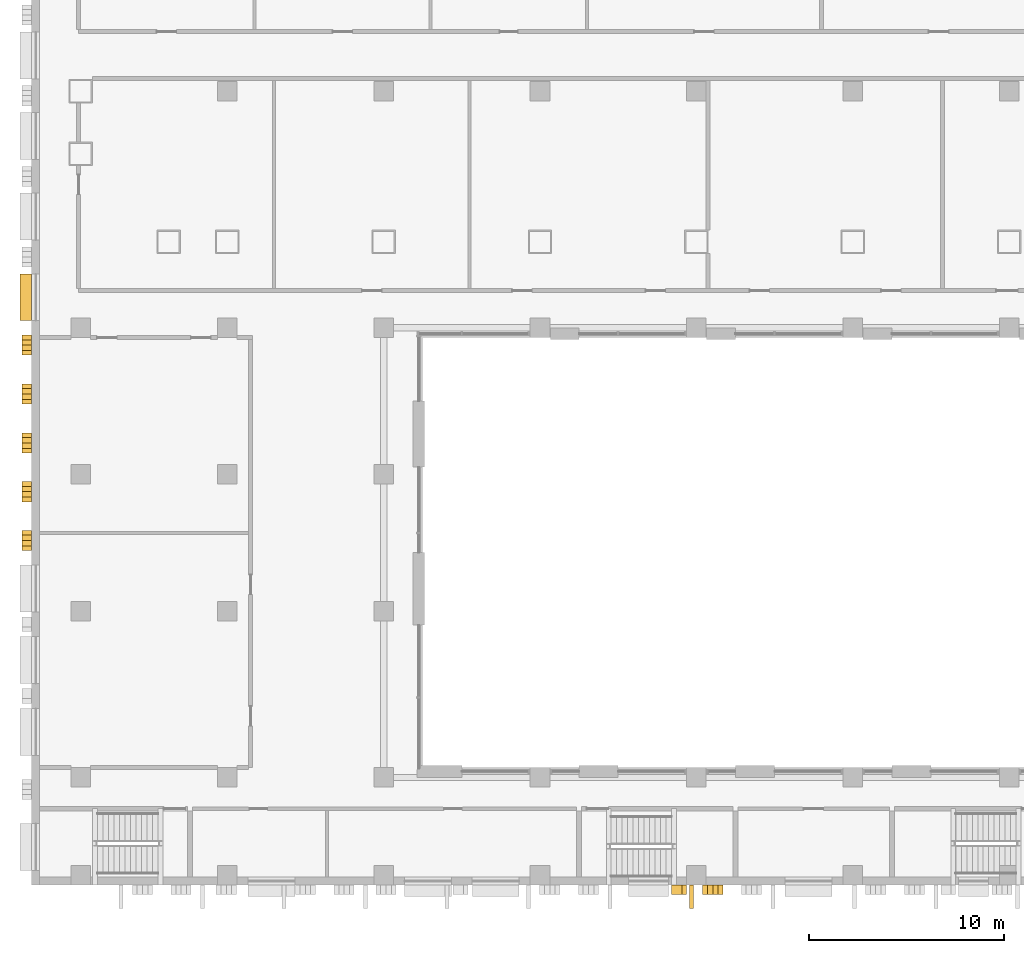
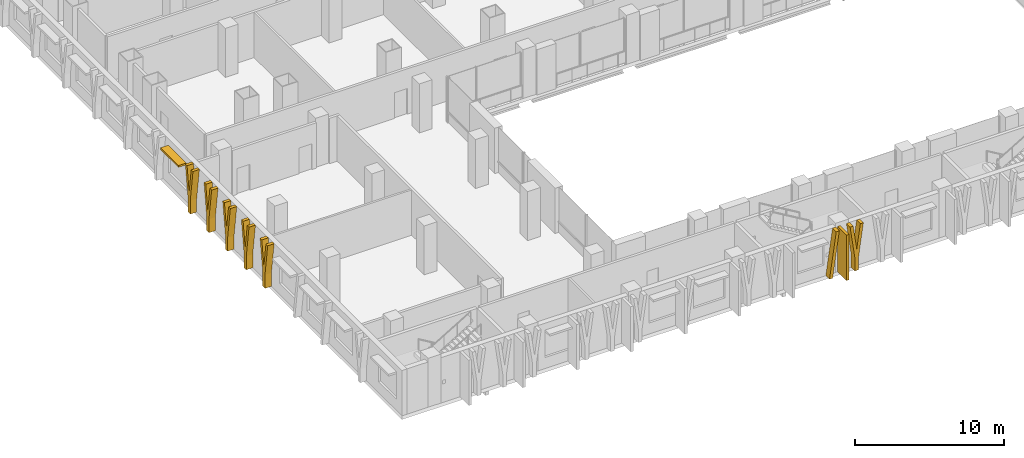
# One storey, part 20 of 26: 9 shading devices.
"""IFC4 building model written with IfcOpenShell, lengths in metres."""

from ifc_helpers import new_model, si_unit, direction, frame, frame_2d, origin, origin_2d, place, context, subcontext, project, spatial, polyline, rectangle, outline, extrude, material, layer, layer_set, type_object, element, save


model = new_model("IFC4")

# Units and contexts
model_context = context("Model", 3, precision=1e-05, world=origin(), true_north=direction((0.0, 1.0)))
body_context = subcontext(model_context, "Body", "Model", "MODEL_VIEW")
ifc_project = project(units=[si_unit("LENGTHUNIT", "METRE"), si_unit("AREAUNIT", "SQUARE_METRE"), si_unit("VOLUMEUNIT", "CUBIC_METRE"), si_unit("PLANEANGLEUNIT", "RADIAN"), si_unit("MASSUNIT", "GRAM", prefix="KILO")], contexts=[model_context])

# Site, building, storey
site_placement = place(None, origin())
site = spatial("IfcSite", under=ifc_project, at=site_placement, CompositionType="ELEMENT")
building_placement = place(site_placement, origin())
building = spatial("IfcBuilding", under=site, at=building_placement, Name="Vidyagriha Tower", CompositionType="ELEMENT")
storey_placement = place(building_placement, frame((0.0, 0.0, 6.0)))
storey = spatial("IfcBuildingStorey", under=building, at=storey_placement, Name="L01", CompositionType="ELEMENT", Elevation=6.0)

# Shading devices
ifc_material_1 = material(Name="Precast concrete C40/50 with brick facing", Category="concrete")
ifc_layer_1 = layer(ifc_material_1, 0.14990234375)
ifc_layer_set_1 = layer_set([ifc_layer_1], Name="Precast concrete C40/50 with brick facing")
shading_device_type_1 = type_object("IfcShadingDeviceType", Name="Brick chhajja window hood", PredefinedType="AWNING", material=ifc_layer_set_1)
shading_device_1_placement = place(storey_placement, frame((-40.300048828125, -19.9375, 3.0), z_axis=(0.0, 0.0, 1.0), x_axis=(0.0, -1.0, 0.0)))
element("IfcShadingDevice", 1, at=shading_device_1_placement, inside=storey, type_object=shading_device_type_1, Name="Window hood L01 R05.10", PredefinedType="AWNING", context=body_context, shape_type="SweptSolid", body=[
    extrude(rectangle(XDim=2.39990234375, YDim=0.60009765625, at=origin_2d()), origin(), (0.0, 0.0, 1.0), 0.14990234375),
])
ifc_material_2 = material(Name="Precast concrete C40/50 with buff brick facing", Category="concrete")
ifc_layer_2 = layer(ifc_material_2, 0.300048828125)
ifc_layer_set_2 = layer_set([ifc_layer_2], Name="Precast concrete C40/50 with buff brick facing")
shading_device_type_2 = type_object("IfcShadingDeviceType", Name="Brick-faced podium blade forking 8 degrees", PredefinedType="USERDEFINED", material=ifc_layer_set_2)
for number, where, z_axis, x_axis, name in (
    (2, (-40.25, -21.87158203125, 0.0), (0.0, 0.0, 1.0), (0.0, -1.0, 0.0), "Podium blade L01 R05.4239"),
    (3, (-40.25, -24.370849609375, 0.0), (0.0, 0.0, 1.0), (0.0, -1.0, 0.0), "Podium blade L01 R05.4489"),
    (4, (-40.25, -26.8701171875, 0.0), (0.0, 0.0, 1.0), (0.0, -1.0, 0.0), "Podium blade L01 R05.4739"),
    (5, (-40.25, -29.369140625, 0.0), (0.0, 0.0, 1.0), (0.0, -1.0, 0.0), "Podium blade L01 R05.4988"),
    (6, (-40.25, -31.868408203125, 0.0), (0.0, 0.0, 1.0), (0.0, -1.0, 0.0), "Podium blade L01 R05.5238"),
):
    element("IfcShadingDevice", number, at=place(storey_placement, frame(where, z_axis=z_axis, x_axis=x_axis)), inside=storey, type_object=shading_device_type_2, Name=name, ObjectType="BLADE FIN", PredefinedType="USERDEFINED", context=body_context, shape_type="SweptSolid", body=[
        extrude(outline(polyline([(0.665283203125, 0.0), (0.665283203125, 1.10009765625), (1.03076171875, 3.699951171875), (0.790771484375, 3.699951171875), (0.515380859375, 1.740478515625), (0.239990234375, 3.699951171875), (0.0, 3.699951171875), (0.365478515625, 1.10009765625), (0.365478515625, 0.0), (0.665283203125, 0.0)])), frame((0.0, 0.25, 0.0), z_axis=(0.0, -1.0, 0.0), x_axis=(1.0, 0.0, 0.0)), (0.0, 0.0, 1.0), 0.5),
    ])
shading_device_2_placement = place(storey_placement, frame((-5.67578125, -50.25, 0.0)))
element("IfcShadingDevice", 7, at=shading_device_2_placement, inside=storey, type_object=shading_device_type_2, Name="Podium blade L01 R06.3444", ObjectType="BLADE FIN", PredefinedType="USERDEFINED", context=body_context, shape_type="SweptSolid", body=[
    extrude(outline(polyline([(0.665283203125, 0.0), (0.665283203125, 1.10009765625), (1.03076171875, 3.699951171875), (0.790771484375, 3.699951171875), (0.515380859375, 1.740478515625), (0.239990234375, 3.699951171875), (0.0, 3.699951171875), (0.365478515625, 1.10009765625), (0.365478515625, 0.0), (0.665283203125, 0.0)])), frame((0.0, 0.25, 0.0), z_axis=(0.0, -1.0, 0.0), x_axis=(1.0, 0.0, 0.0)), (0.0, 0.0, 1.0), 0.5),
])
ifc_material_3 = material(Name="Precast concrete C40/50 with buff brick facing", Category="concrete")
ifc_layer_3 = layer(ifc_material_3, 0.239990234375)
ifc_layer_set_3 = layer_set([ifc_layer_3], Name="Precast concrete C40/50 with buff brick facing")
shading_device_type_3 = type_object("IfcShadingDeviceType", Name="Brick-faced podium blade leaning 8 degrees", PredefinedType="USERDEFINED", material=ifc_layer_set_3)
shading_device_3_placement = place(storey_placement, frame((-7.263916015625, -50.25, 0.0)))
element("IfcShadingDevice", 8, at=shading_device_3_placement, inside=storey, type_object=shading_device_type_3, Name="Podium blade L01 R06.3272", ObjectType="BLADE FIN", PredefinedType="USERDEFINED", context=body_context, shape_type="SweptSolid", body=[
    extrude(outline(polyline([(0.0, 0.0), (0.239990234375, 0.0), (0.760009765625, 3.699951171875), (0.52001953125, 3.699951171875), (0.0, 0.0)])), frame((0.0, 0.25, 0.0), z_axis=(0.0, -1.0, 0.0), x_axis=(1.0, 0.0, 0.0)), (0.0, 0.0, 1.0), 0.5),
])
ifc_material_4 = material(Name="Precast concrete C40/50 with brick facing", Category="concrete")
ifc_layer_4 = layer(ifc_material_4, 0.199951171875)
ifc_layer_set_4 = layer_set([ifc_layer_4], Name="Precast concrete C40/50 with brick facing")
shading_device_type_4 = type_object("IfcShadingDeviceType", Name="Brick-faced solar fin 1200", PredefinedType="USERDEFINED", material=ifc_layer_set_4)
shading_device_4_placement = place(storey_placement, frame((-6.252685546875, -50.0, 0.0), z_axis=(0.0, 0.0, 1.0), x_axis=(0.0, -1.0, 0.0)))
element("IfcShadingDevice", 9, at=shading_device_4_placement, inside=storey, type_object=shading_device_type_4, Name="Solar fin L01 R06.8", ObjectType="SOLAR FIN", PredefinedType="USERDEFINED", context=body_context, shape_type="SweptSolid", body=[
    extrude(rectangle(XDim=1.199951171875, YDim=0.199951171875, at=frame_2d((0.60009765625, 0.0))), origin(), (0.0, 0.0, 1.0), 3.699951171875),
])

save(model, "model.ifc")
